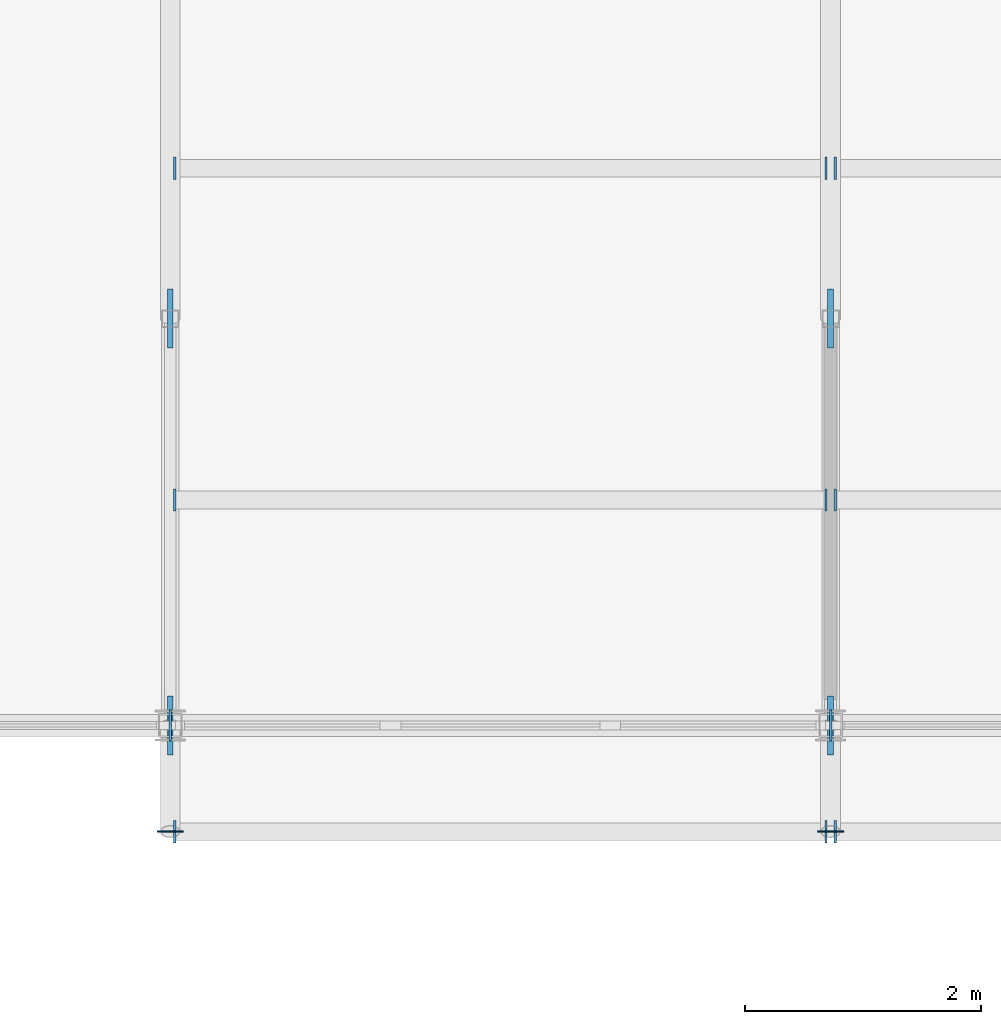
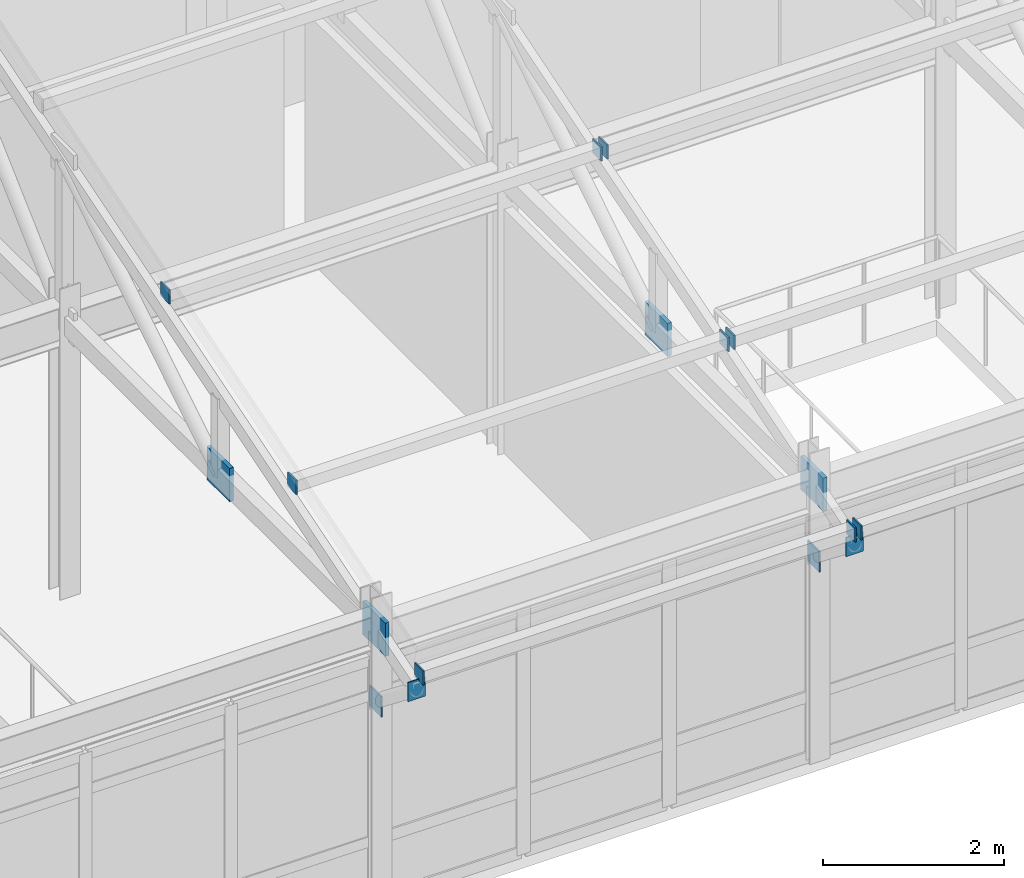
# One storey, part 116 of 144: 17 plates.
"""IFC4 building model written with IfcOpenShell, lengths in metres."""

from ifc_helpers import new_model, si_unit, direction, frame, origin, origin_2d, place, context, subcontext, project, spatial, rectangle, extrude, material, layer, layer_set, type_object, element, save


model = new_model("IFC4")

# Units and contexts
model_context = context("Model", 3, precision=1e-05, world=origin(), true_north=direction((0.0, 1.0)))
body_context = subcontext(model_context, "Body", "Model", "MODEL_VIEW")
ifc_project = project(units=[si_unit("LENGTHUNIT", "METRE"), si_unit("AREAUNIT", "SQUARE_METRE"), si_unit("VOLUMEUNIT", "CUBIC_METRE"), si_unit("PLANEANGLEUNIT", "RADIAN"), si_unit("MASSUNIT", "GRAM", prefix="KILO")], contexts=[model_context])

# Site, building, storey
site_placement = place(None, origin())
site = spatial("IfcSite", under=ifc_project, at=site_placement, CompositionType="ELEMENT")
building_placement = place(site_placement, origin())
building = spatial("IfcBuilding", under=site, at=building_placement, Name="Trelmorton Wharf Fire Station", CompositionType="ELEMENT")
storey_placement = place(building_placement, frame((0.0, 0.0, 5.39990234375)))
storey = spatial("IfcBuildingStorey", under=building, at=storey_placement, Name="L01", CompositionType="ELEMENT", Elevation=5.39990234375)

# Plates
ifc_material = material(Name="Steel Grade 350", Category="steel")
ifc_layer_1 = layer(ifc_material, 0.011962890625)
ifc_layer_set_1 = layer_set([ifc_layer_1], Name="Steel Grade 350")
plate_type_1 = type_object("IfcPlateType", Name="PL_ENDCAP_12", PredefinedType="SHEET", material=ifc_layer_set_1)
for number, where, z_axis, x_axis, name in (
    (1, (23.199951171875, 59.39990234375, 3.27587890625), (0.0, 0.0, 1.0), (1.0, 0.0, 0.0), "PL-EC-0065"),
    (2, (28.800048828125, 59.39990234375, 3.27587890625), (0.0, 0.0, 1.0), (1.0, 0.0, 0.0), "PL-EC-0069"),
):
    element("IfcPlate", number, at=place(storey_placement, frame(where, z_axis=z_axis, x_axis=x_axis)), inside=storey, type_object=plate_type_1, Name=name, PredefinedType="SHEET", context=body_context, shape_type="SweptSolid", body=[
        extrude(rectangle(XDim=0.219970703125, YDim=0.011962890625, at=origin_2d()), origin(), (0.0, 0.0, 1.0), 0.260009765625),
    ])
for number, where, z_axis, x_axis, name in (
    (3, (23.239013671875, 59.39990234375, 3.50390625), (0.0, 0.0, 1.0), (1.0, 0.0, 0.0), "PL-PREC-A-0081"),
    (4, (28.760986328125, 59.39990234375, 3.50390625), (0.0, 0.0, 1.0), (1.0, 0.0, 0.0), "PL-PREC-B-0082"),
    (5, (23.239013671875, 62.21240234375, 4.37353515625), (0.0, 0.0, 1.0), (1.0, 0.0, 0.0), "PL-PREC-A-0083"),
    (6, (28.760986328125, 62.21240234375, 4.37353515625), (0.0, 0.0, 1.0), (1.0, 0.0, 0.0), "PL-PREC-B-0084"),
    (7, (23.239013671875, 65.02490234375, 5.2431640625), (0.0, 0.0, 1.0), (1.0, 0.0, 0.0), "PL-PREC-A-0085"),
    (8, (28.760986328125, 65.02490234375, 5.2431640625), (0.0, 0.0, 1.0), (1.0, 0.0, 0.0), "PL-PREC-B-0086"),
    (9, (28.839111328125, 59.39990234375, 3.50390625), (0.0, 0.0, 1.0), (1.0, 0.0, 0.0), "PL-PREC-A-0099"),
    (10, (28.839111328125, 62.21240234375, 4.37353515625), (0.0, 0.0, 1.0), (1.0, 0.0, 0.0), "PL-PREC-A-0101"),
    (11, (28.839111328125, 65.02490234375, 5.2431640625), (0.0, 0.0, 1.0), (1.0, 0.0, 0.0), "PL-PREC-A-0103"),
):
    element("IfcPlate", number, at=place(storey_placement, frame(where, z_axis=z_axis, x_axis=x_axis)), inside=storey, type_object=plate_type_1, Name=name, PredefinedType="SHEET", context=body_context, shape_type="SweptSolid", body=[
        extrude(rectangle(XDim=0.02001953125, YDim=0.18994140625, at=origin_2d()), origin(), (0.0, 0.0, 1.0), 0.18994140625),
    ])
ifc_layer_2 = layer(ifc_material, 0.02001953125)
ifc_layer_set_2 = layer_set([ifc_layer_2], Name="Steel Grade 350")
plate_type_2 = type_object("IfcPlateType", Name="PL_ENDCAP_20", PredefinedType="SHEET", material=ifc_layer_set_2)
for number, where, z_axis, x_axis, name in (
    (12, (23.199951171875, 60.300048828125, 2.56005859375), (0.0, 0.0, 1.0), (1.0, 0.0, 0.0), "PL-EC-0066"),
    (13, (28.800048828125, 60.300048828125, 2.56005859375), (0.0, 0.0, 1.0), (1.0, 0.0, 0.0), "PL-EC-0070"),
):
    element("IfcPlate", number, at=place(storey_placement, frame(where, z_axis=z_axis, x_axis=x_axis)), inside=storey, type_object=plate_type_2, Name=name, PredefinedType="SHEET", context=body_context, shape_type="SweptSolid", body=[
        extrude(rectangle(XDim=0.02001953125, YDim=0.260009765625, at=origin_2d()), origin(), (0.0, 0.0, 1.0), 0.280029296875),
    ])
ifc_layer_3 = layer(ifc_material, 0.050048828125)
ifc_layer_set_3 = layer_set([ifc_layer_3], Name="Steel Grade 350")
plate_type_3 = type_object("IfcPlateType", Name="PL_GUSSET_TN2", PredefinedType="USERDEFINED", material=ifc_layer_set_3)
for number, where, z_axis, x_axis, name in (
    (14, (23.199951171875, 60.300048828125, 3.458984375), (0.0, 0.0, 1.0), (1.0, 0.0, 0.0), "PL-TN-0293"),
    (15, (23.199951171875, 63.75, 3.458984375), (0.0, 0.0, 1.0), (1.0, 0.0, 0.0), "PL-TN-0296"),
    (16, (28.800048828125, 60.300048828125, 3.458984375), (0.0, 0.0, 1.0), (1.0, 0.0, 0.0), "PL-TN-0302"),
    (17, (28.800048828125, 63.75, 3.458984375), (0.0, 0.0, 1.0), (1.0, 0.0, 0.0), "PL-TN-0305"),
):
    element("IfcPlate", number, at=place(storey_placement, frame(where, z_axis=z_axis, x_axis=x_axis)), inside=storey, type_object=plate_type_3, Name=name, ObjectType="GUSSET PLATE", PredefinedType="USERDEFINED", context=body_context, shape_type="SweptSolid", body=[
        extrude(rectangle(XDim=0.050048828125, YDim=0.5, at=origin_2d()), origin(), (0.0, 0.0, 1.0), 0.449951171875),
    ])

save(model, "model.ifc")
